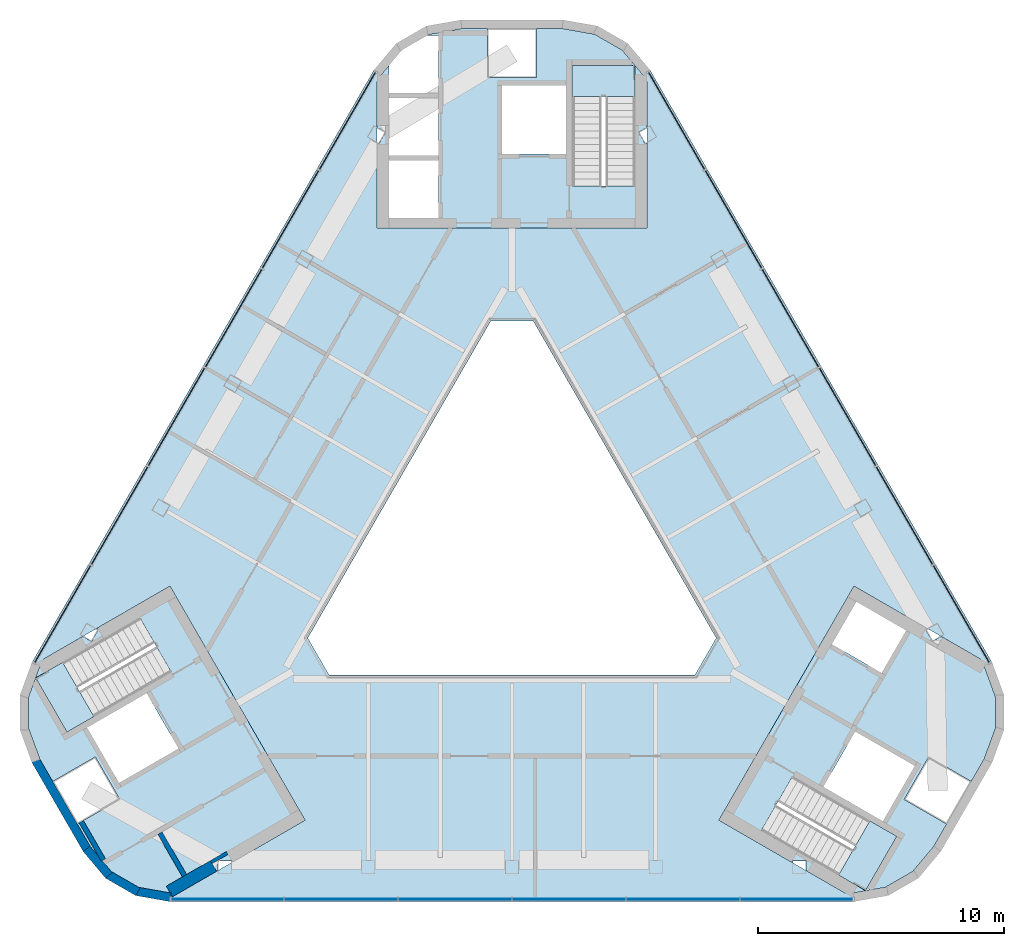
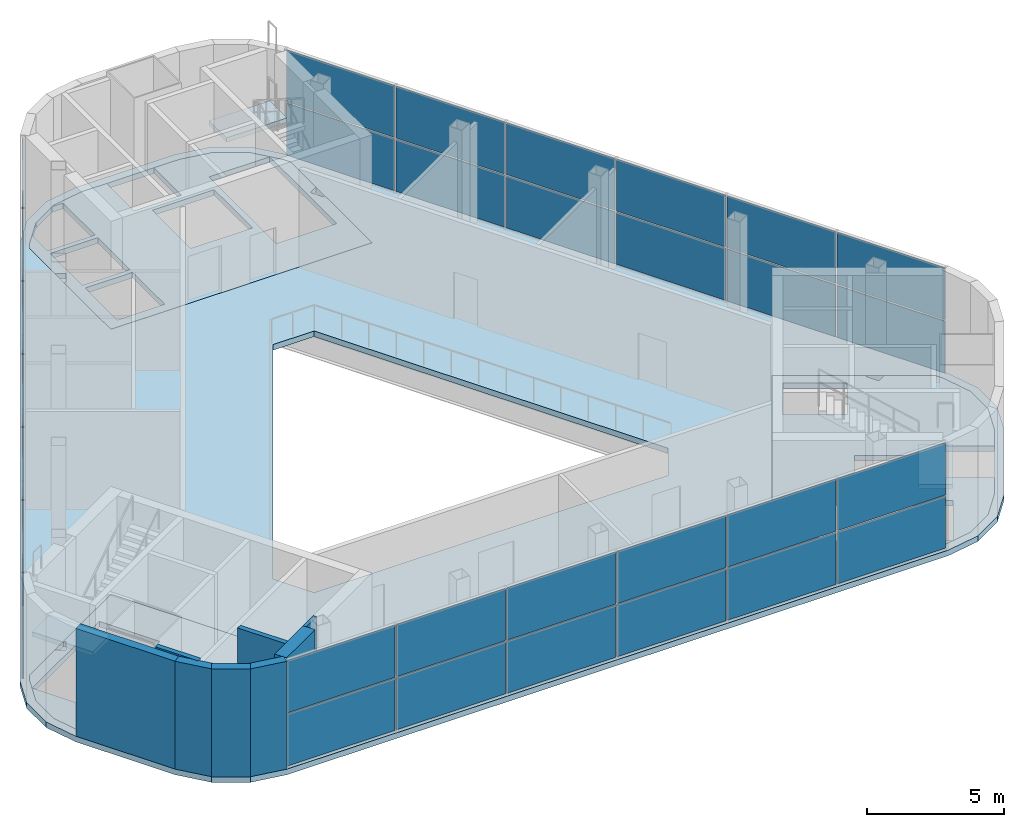
# One storey, part 5 of 11: 36 plates, 8 walls, 7 slabs, 6 elements without a shape of their own.
"""IFC4 building model written with IfcOpenShell, lengths in metres."""

from ifc_helpers import new_model, si_unit, direction, frame, frame_2d, origin, origin_2d, place, context, subcontext, project, spatial, polyline, rectangle, outline, extrude, material, layer, layer_set, type_object, element, aggregate, save


model = new_model("IFC4")

# Units and contexts
model_context = context("Model", 3, precision=1e-05, world=origin(), true_north=direction((0.0, 1.0)))
body_context = subcontext(model_context, "Body", "Model", "MODEL_VIEW")
ifc_project = project(units=[si_unit("LENGTHUNIT", "METRE"), si_unit("AREAUNIT", "SQUARE_METRE"), si_unit("VOLUMEUNIT", "CUBIC_METRE"), si_unit("PLANEANGLEUNIT", "RADIAN"), si_unit("MASSUNIT", "GRAM", prefix="KILO")], contexts=[model_context])

# Site, building, storey
site_placement = place(None, origin())
site = spatial("IfcSite", under=ifc_project, at=site_placement, CompositionType="ELEMENT")
building_placement = place(site_placement, origin())
building = spatial("IfcBuilding", under=site, at=building_placement, Name="Apuvela Tower Hotel", CompositionType="ELEMENT")
storey_placement = place(building_placement, frame((0.0, 0.0, 338.300048828125)))
storey = spatial("IfcBuildingStorey", under=building, at=storey_placement, Name="L84", CompositionType="ELEMENT", Elevation=338.300048828125)

# Slabs
ifc_material_1 = material(Name="Concrete C50/60", Category="concrete")
ifc_layer_1 = layer(ifc_material_1, 0.25)
ifc_layer_set_1 = layer_set([ifc_layer_1], Name="COR-FLOOR-250")
slab_type_1 = type_object("IfcSlabType", Name="COR-FLOOR-250", PredefinedType="FLOOR", material=ifc_layer_set_1)
slab_1_placement = place(storey_placement, frame((0.0, 0.0, -0.25)))
element("IfcSlab", 1, at=slab_1_placement, inside=storey, type_object=slab_type_1, Name="Core floor N", PredefinedType="FLOOR", context=body_context, shape_type="SweptSolid", body=[
    extrude(outline(polyline([(5.4208984375, 16.31298828125), (5.14599609375, 16.789306640625), (5.5, 16.993896484375), (5.5, 18.826171875), (5.330322265625, 19.119873046875), (4.481201171875, 20.1318359375), (3.364013671875, 20.777099609375), (2.06298828125, 21.00634765625), (1.0, 21.00634765625), (1.0, 19.00634765625), (-1.0, 19.00634765625), (-1.0, 21.00634765625), (-2.06298828125, 21.00634765625), (-3.364013671875, 20.777099609375), (-3.462646484375, 20.719970703125), (-3.0, 20.719970703125), (-3.0, 18.3798828125), (-5.0, 18.3798828125), (-5.0, 19.513671875), (-5.330322265625, 19.119873046875), (-5.5, 18.826171875), (-5.5, 16.993896484375), (-5.14599609375, 16.789306640625), (-5.4208984375, 16.31298828125), (-5.5, 16.358642578125), (-5.5, 12.89990234375), (5.5, 12.89990234375), (5.5, 16.358642578125), (5.4208984375, 16.31298828125)]), holes=[polyline([(-3.0, 13.300048828125), (-5.0, 13.300048828125), (-5.0, 15.639892578125), (-3.0, 15.639892578125), (-3.0, 13.300048828125)]), polyline([(-3.0, 15.840087890625), (-5.0, 15.840087890625), (-5.0, 18.179931640625), (-3.0, 18.179931640625), (-3.0, 15.840087890625)]), polyline([(5.0, 14.60595703125), (2.449951171875, 14.60595703125), (2.449951171875, 19.5), (5.0, 19.5), (5.0, 14.60595703125)]), polyline([(2.199951171875, 18.699951171875), (2.199951171875, 15.89990234375), (-0.39990234375, 15.89990234375), (-0.39990234375, 18.699951171875), (2.199951171875, 18.699951171875)])]), origin(), (0.0, 0.0, 1.0), 0.25),
])
slab_2_placement = place(storey_placement, frame((0.0, 0.0, -0.25)))
element("IfcSlab", 2, at=slab_2_placement, inside=storey, type_object=slab_type_1, Name="Core floor SW", PredefinedType="FLOOR", context=body_context, shape_type="SweptSolid", body=[
    extrude(outline(polyline([(-16.837890625, -3.4619140625), (-17.11279296875, -3.938232421875), (-17.467041015625, -3.733642578125), (-19.053955078125, -4.64990234375), (-19.223388671875, -4.943603515625), (-19.67529296875, -6.185302734375), (-19.67529296875, -7.47509765625), (-19.223388671875, -8.716796875), (-18.692138671875, -9.63720703125), (-16.9599609375, -8.63720703125), (-15.9599609375, -10.369140625), (-17.692138671875, -11.369140625), (-17.16064453125, -12.289794921875), (-16.311279296875, -13.3017578125), (-15.194091796875, -13.94677734375), (-13.89306640625, -14.17626953125), (-13.553955078125, -14.17626953125), (-11.967041015625, -13.260009765625), (-11.967041015625, -12.851318359375), (-11.4169921875, -12.851318359375), (-11.4169921875, -12.9423828125), (-8.421630859375, -11.213134765625), (-13.921630859375, -1.68701171875), (-16.9169921875, -3.416259765625), (-16.837890625, -3.4619140625)]), holes=[polyline([(-13.874267578125, -5.18115234375), (-18.112548828125, -7.628173828125), (-19.387451171875, -5.419921875), (-15.149169921875, -2.972900390625), (-13.874267578125, -5.18115234375)]), polyline([(-13.56982421875, -8.29638671875), (-15.99462890625, -9.6962890625), (-17.294677734375, -7.444580078125), (-14.869873046875, -6.044677734375), (-13.56982421875, -8.29638671875)])]), origin(), (0.0, 0.0, 1.0), 0.25),
])
slab_3_placement = place(storey_placement, frame((0.0, 0.0, -0.25)))
element("IfcSlab", 3, at=slab_3_placement, inside=storey, type_object=slab_type_1, Name="Core floor SE", PredefinedType="FLOOR", context=body_context, shape_type="SweptSolid", body=[
    extrude(outline(polyline([(11.4169921875, -12.851318359375), (11.967041015625, -12.851318359375), (11.967041015625, -13.260009765625), (13.553955078125, -14.17626953125), (13.89306640625, -14.17626953125), (15.194091796875, -13.94677734375), (16.311279296875, -13.3017578125), (17.16064453125, -12.289794921875), (17.692138671875, -11.369140625), (15.9599609375, -10.369140625), (16.9599609375, -8.63720703125), (18.692138671875, -9.63720703125), (19.223388671875, -8.716796875), (19.67529296875, -7.47509765625), (19.67529296875, -6.185302734375), (19.223388671875, -4.943603515625), (19.053955078125, -4.64990234375), (17.467041015625, -3.733642578125), (17.11279296875, -3.938232421875), (16.837890625, -3.4619140625), (16.9169921875, -3.416259765625), (13.921630859375, -1.68701171875), (8.421630859375, -11.213134765625), (11.4169921875, -12.9423828125), (11.4169921875, -12.851318359375)]), holes=[polyline([(14.01806640625, -2.31982421875), (16.044677734375, -3.489990234375), (15.044677734375, -5.221923828125), (13.01806640625, -4.052001953125), (14.01806640625, -2.31982421875)]), polyline([(10.149169921875, -11.633056640625), (11.42431640625, -9.4248046875), (15.66259765625, -11.871826171875), (14.387451171875, -14.080078125), (10.149169921875, -11.633056640625)]), polyline([(12.669921875, -9.855224609375), (13.9697265625, -7.603515625), (16.394775390625, -9.003662109375), (15.0947265625, -11.25537109375), (12.669921875, -9.855224609375)])]), origin(), (0.0, 0.0, 1.0), 0.25),
])

# Stair, slab
stair_type = type_object("IfcStairType", Name="COR-STAIR-28R", PredefinedType="HALF_TURN_STAIR", material=ifc_material_1)
stair_1_placement = place(storey_placement, origin())
stair_1 = element("IfcStair", 4, at=stair_1_placement, inside=storey, type_object=stair_type, Name="L84 Exit stair ST1", PredefinedType="HALF_TURN_STAIR")
ifc_layer_2 = layer(ifc_material_1, 0.199951171875)
ifc_layer_set_2 = layer_set([ifc_layer_2], Name="COR-LANDING-200")
slab_type_2 = type_object("IfcSlabType", Name="COR-LANDING-200", PredefinedType="LANDING", material=ifc_layer_set_2)
slab_4_placement = place(storey_placement, frame((0.0, 0.0, 2.300048828125)))
slab_4 = element("IfcSlab", 5, at=slab_4_placement, type_object=slab_type_2, Name="ST1 landing 1", PredefinedType="LANDING", context=body_context, shape_type="SweptSolid", body=[
    extrude(outline(polyline([(5.0, 18.23388671875), (5.0, 19.5), (2.449951171875, 19.5), (2.449951171875, 18.23388671875), (5.0, 18.23388671875)])), origin(), (0.0, 0.0, 1.0), 0.199951171875),
])
aggregate(stair_1, [slab_4])

stair_2_placement = place(storey_placement, origin())
stair_2 = element("IfcStair", 6, at=stair_2_placement, inside=storey, type_object=stair_type, Name="L84 Exit stair ST2", PredefinedType="HALF_TURN_STAIR")
slab_5_placement = place(storey_placement, frame((0.0, 0.0, 2.300048828125)))
slab_5 = element("IfcSlab", 7, at=slab_5_placement, type_object=slab_type_2, Name="ST2 landing 1", PredefinedType="LANDING", context=body_context, shape_type="SweptSolid", body=[
    extrude(outline(polyline([(-18.291015625, -4.786865234375), (-19.387451171875, -5.419921875), (-18.112548828125, -7.628173828125), (-17.01611328125, -6.9951171875), (-18.291015625, -4.786865234375)])), origin(), (0.0, 0.0, 1.0), 0.199951171875),
])
aggregate(stair_2, [slab_5])

stair_3_placement = place(storey_placement, origin())
stair_3 = element("IfcStair", 8, at=stair_3_placement, inside=storey, type_object=stair_type, Name="L84 Exit stair ST3", PredefinedType="HALF_TURN_STAIR")
slab_6_placement = place(storey_placement, frame((0.0, 0.0, 2.300048828125)))
slab_6 = element("IfcSlab", 9, at=slab_6_placement, type_object=slab_type_2, Name="ST3 landing 1", PredefinedType="LANDING", context=body_context, shape_type="SweptSolid", body=[
    extrude(outline(polyline([(13.291015625, -13.447021484375), (14.387451171875, -14.080078125), (15.66259765625, -11.871826171875), (14.566162109375, -11.23876953125), (13.291015625, -13.447021484375)])), origin(), (0.0, 0.0, 1.0), 0.199951171875),
])
aggregate(stair_3, [slab_6])

# Curtain wall, plates
ifc_material_2 = material(Name="Aluminium 6063-T6, dark bronze anodised", Category="aluminium")
ifc_layer_3 = layer(ifc_material_2, 0.199951171875)
ifc_layer_set_3 = layer_set([ifc_layer_3], Name="ENV-CW-L")
curtain_wall_type = type_object("IfcCurtainWallType", Name="ENV-CW-L", PredefinedType="NOTDEFINED", material=ifc_layer_set_3)
curtain_wall_1_placement = place(storey_placement, origin())
curtain_wall_1 = element("IfcCurtainWall", 10, at=curtain_wall_1_placement, inside=storey, type_object=curtain_wall_type, Name="Curtain wall CW-L S L84", PredefinedType="NOTDEFINED")
ifc_material_3 = material(Name="Glass, dark tinted laminated insulated glazing unit", Category="glass")
ifc_layer_4 = layer(ifc_material_3, 0.0400390625)
ifc_layer_set_4 = layer_set([ifc_layer_4], Name="ENV-PANEL-IGU-40")
plate_type = type_object("IfcPlateType", Name="ENV-PANEL-IGU-40", PredefinedType="CURTAIN_PANEL", material=ifc_layer_set_4)
plate_1_placement = place(storey_placement, frame((-11.5869140625, -14.42626953125, 0.06494140625), z_axis=(0.0, 0.0, 1.0), x_axis=(1.0, 0.0, 0.0)))
plate_1 = element("IfcPlate", 11, at=plate_1_placement, type_object=plate_type, Name="CW-L panel 1.1", PredefinedType="CURTAIN_PANEL", context=body_context, shape_type="SweptSolid", body=[
    extrude(rectangle(XDim=4.543701171875, YDim=0.0400390625, at=origin_2d()), origin(), (0.0, 0.0, 1.0), 2.302490234375),
])
plate_2_placement = place(storey_placement, frame((-11.5869140625, -14.42626953125, 2.4326171875), z_axis=(0.0, 0.0, 1.0), x_axis=(1.0, 0.0, 0.0)))
plate_2 = element("IfcPlate", 12, at=plate_2_placement, type_object=plate_type, Name="CW-L panel 1.2", PredefinedType="CURTAIN_PANEL", context=body_context, shape_type="SweptSolid", body=[
    extrude(rectangle(XDim=4.543701171875, YDim=0.0400390625, at=origin_2d()), origin(), (0.0, 0.0, 1.0), 2.302490234375),
])
plate_3_placement = place(storey_placement, frame((-6.9619140625, -14.42626953125, 0.06494140625), z_axis=(0.0, 0.0, 1.0), x_axis=(1.0, 0.0, 0.0)))
plate_3 = element("IfcPlate", 13, at=plate_3_placement, type_object=plate_type, Name="CW-L panel 2.1", PredefinedType="CURTAIN_PANEL", context=body_context, shape_type="SweptSolid", body=[
    extrude(rectangle(XDim=4.576171875, YDim=0.0400390625, at=origin_2d()), origin(), (0.0, 0.0, 1.0), 2.302490234375),
])
plate_4_placement = place(storey_placement, frame((-6.9619140625, -14.42626953125, 2.4326171875), z_axis=(0.0, 0.0, 1.0), x_axis=(1.0, 0.0, 0.0)))
plate_4 = element("IfcPlate", 14, at=plate_4_placement, type_object=plate_type, Name="CW-L panel 2.2", PredefinedType="CURTAIN_PANEL", context=body_context, shape_type="SweptSolid", body=[
    extrude(rectangle(XDim=4.576171875, YDim=0.0400390625, at=origin_2d()), origin(), (0.0, 0.0, 1.0), 2.302490234375),
])
plate_5_placement = place(storey_placement, frame((-2.320556640625, -14.42626953125, 0.06494140625), z_axis=(0.0, 0.0, 1.0), x_axis=(1.0, 0.0, 0.0)))
plate_5 = element("IfcPlate", 15, at=plate_5_placement, type_object=plate_type, Name="CW-L panel 3.1", PredefinedType="CURTAIN_PANEL", context=body_context, shape_type="SweptSolid", body=[
    extrude(rectangle(XDim=4.576171875, YDim=0.0400390625, at=origin_2d()), origin(), (0.0, 0.0, 1.0), 2.302490234375),
])
plate_6_placement = place(storey_placement, frame((-2.320556640625, -14.42626953125, 2.4326171875), z_axis=(0.0, 0.0, 1.0), x_axis=(1.0, 0.0, 0.0)))
plate_6 = element("IfcPlate", 16, at=plate_6_placement, type_object=plate_type, Name="CW-L panel 3.2", PredefinedType="CURTAIN_PANEL", context=body_context, shape_type="SweptSolid", body=[
    extrude(rectangle(XDim=4.576171875, YDim=0.0400390625, at=origin_2d()), origin(), (0.0, 0.0, 1.0), 2.302490234375),
])
plate_7_placement = place(storey_placement, frame((2.320556640625, -14.42626953125, 0.06494140625), z_axis=(0.0, 0.0, 1.0), x_axis=(1.0, 0.0, 0.0)))
plate_7 = element("IfcPlate", 17, at=plate_7_placement, type_object=plate_type, Name="CW-L panel 4.1", PredefinedType="CURTAIN_PANEL", context=body_context, shape_type="SweptSolid", body=[
    extrude(rectangle(XDim=4.576171875, YDim=0.0400390625, at=origin_2d()), origin(), (0.0, 0.0, 1.0), 2.302490234375),
])
plate_8_placement = place(storey_placement, frame((2.320556640625, -14.42626953125, 2.4326171875), z_axis=(0.0, 0.0, 1.0), x_axis=(1.0, 0.0, 0.0)))
plate_8 = element("IfcPlate", 18, at=plate_8_placement, type_object=plate_type, Name="CW-L panel 4.2", PredefinedType="CURTAIN_PANEL", context=body_context, shape_type="SweptSolid", body=[
    extrude(rectangle(XDim=4.576171875, YDim=0.0400390625, at=origin_2d()), origin(), (0.0, 0.0, 1.0), 2.302490234375),
])
plate_9_placement = place(storey_placement, frame((6.9619140625, -14.42626953125, 0.06494140625), z_axis=(0.0, 0.0, 1.0), x_axis=(1.0, 0.0, 0.0)))
plate_9 = element("IfcPlate", 19, at=plate_9_placement, type_object=plate_type, Name="CW-L panel 5.1", PredefinedType="CURTAIN_PANEL", context=body_context, shape_type="SweptSolid", body=[
    extrude(rectangle(XDim=4.576171875, YDim=0.0400390625, at=origin_2d()), origin(), (0.0, 0.0, 1.0), 2.302490234375),
])
plate_10_placement = place(storey_placement, frame((6.9619140625, -14.42626953125, 2.4326171875), z_axis=(0.0, 0.0, 1.0), x_axis=(1.0, 0.0, 0.0)))
plate_10 = element("IfcPlate", 20, at=plate_10_placement, type_object=plate_type, Name="CW-L panel 5.2", PredefinedType="CURTAIN_PANEL", context=body_context, shape_type="SweptSolid", body=[
    extrude(rectangle(XDim=4.576171875, YDim=0.0400390625, at=origin_2d()), origin(), (0.0, 0.0, 1.0), 2.302490234375),
])
plate_11_placement = place(storey_placement, frame((11.5869140625, -14.42626953125, 0.06494140625), z_axis=(0.0, 0.0, 1.0), x_axis=(1.0, 0.0, 0.0)))
plate_11 = element("IfcPlate", 21, at=plate_11_placement, type_object=plate_type, Name="CW-L panel 6.1", PredefinedType="CURTAIN_PANEL", context=body_context, shape_type="SweptSolid", body=[
    extrude(rectangle(XDim=4.543701171875, YDim=0.0400390625, at=origin_2d()), origin(), (0.0, 0.0, 1.0), 2.302490234375),
])
plate_12_placement = place(storey_placement, frame((11.5869140625, -14.42626953125, 2.4326171875), z_axis=(0.0, 0.0, 1.0), x_axis=(1.0, 0.0, 0.0)))
plate_12 = element("IfcPlate", 22, at=plate_12_placement, type_object=plate_type, Name="CW-L panel 6.2", PredefinedType="CURTAIN_PANEL", context=body_context, shape_type="SweptSolid", body=[
    extrude(rectangle(XDim=4.543701171875, YDim=0.0400390625, at=origin_2d()), origin(), (0.0, 0.0, 1.0), 2.302490234375),
])
aggregate(curtain_wall_1, [plate_1, plate_2, plate_3, plate_4, plate_5, plate_6, plate_7, plate_8, plate_9, plate_10, plate_11, plate_12])

curtain_wall_2_placement = place(storey_placement, origin())
curtain_wall_2 = element("IfcCurtainWall", 23, at=curtain_wall_2_placement, inside=storey, type_object=curtain_wall_type, Name="Curtain wall CW-L NE L84", PredefinedType="NOTDEFINED")
plate_13_placement = place(storey_placement, frame((18.286865234375, -2.8212890625, 0.06494140625), z_axis=(0.0, 0.0, 1.0), x_axis=(-0.499999313174, 0.866025800323, 0.0)))
plate_13 = element("IfcPlate", 24, at=plate_13_placement, type_object=plate_type, Name="CW-L panel 1.1", PredefinedType="CURTAIN_PANEL", context=body_context, shape_type="SweptSolid", body=[
    extrude(rectangle(XDim=4.543701171875, YDim=0.0400390625, at=origin_2d()), origin(), (0.0, 0.0, 1.0), 2.302490234375),
])
plate_14_placement = place(storey_placement, frame((18.286865234375, -2.8212890625, 2.4326171875), z_axis=(0.0, 0.0, 1.0), x_axis=(-0.499999313174, 0.866025800323, 0.0)))
plate_14 = element("IfcPlate", 25, at=plate_14_placement, type_object=plate_type, Name="CW-L panel 1.2", PredefinedType="CURTAIN_PANEL", context=body_context, shape_type="SweptSolid", body=[
    extrude(rectangle(XDim=4.543701171875, YDim=0.0400390625, at=origin_2d()), origin(), (0.0, 0.0, 1.0), 2.302490234375),
])
plate_15_placement = place(storey_placement, frame((15.974365234375, 1.183837890625, 0.06494140625), z_axis=(0.0, 0.0, 1.0), x_axis=(-0.499999313174, 0.866025800323, 0.0)))
plate_15 = element("IfcPlate", 26, at=plate_15_placement, type_object=plate_type, Name="CW-L panel 2.1", PredefinedType="CURTAIN_PANEL", context=body_context, shape_type="SweptSolid", body=[
    extrude(rectangle(XDim=4.576171875, YDim=0.0400390625, at=origin_2d()), origin(), (0.0, 0.0, 1.0), 2.302490234375),
])
plate_16_placement = place(storey_placement, frame((15.974365234375, 1.183837890625, 2.4326171875), z_axis=(0.0, 0.0, 1.0), x_axis=(-0.499999313174, 0.866025800323, 0.0)))
plate_16 = element("IfcPlate", 27, at=plate_16_placement, type_object=plate_type, Name="CW-L panel 2.2", PredefinedType="CURTAIN_PANEL", context=body_context, shape_type="SweptSolid", body=[
    extrude(rectangle(XDim=4.576171875, YDim=0.0400390625, at=origin_2d()), origin(), (0.0, 0.0, 1.0), 2.302490234375),
])
plate_17_placement = place(storey_placement, frame((13.65380859375, 5.203369140625, 0.06494140625), z_axis=(0.0, 0.0, 1.0), x_axis=(-0.499999313174, 0.866025800323, 0.0)))
plate_17 = element("IfcPlate", 28, at=plate_17_placement, type_object=plate_type, Name="CW-L panel 3.1", PredefinedType="CURTAIN_PANEL", context=body_context, shape_type="SweptSolid", body=[
    extrude(rectangle(XDim=4.576171875, YDim=0.0400390625, at=origin_2d()), origin(), (0.0, 0.0, 1.0), 2.302490234375),
])
plate_18_placement = place(storey_placement, frame((13.65380859375, 5.203369140625, 2.4326171875), z_axis=(0.0, 0.0, 1.0), x_axis=(-0.499999313174, 0.866025800323, 0.0)))
plate_18 = element("IfcPlate", 29, at=plate_18_placement, type_object=plate_type, Name="CW-L panel 3.2", PredefinedType="CURTAIN_PANEL", context=body_context, shape_type="SweptSolid", body=[
    extrude(rectangle(XDim=4.576171875, YDim=0.0400390625, at=origin_2d()), origin(), (0.0, 0.0, 1.0), 2.302490234375),
])
plate_19_placement = place(storey_placement, frame((11.333251953125, 9.222900390625, 0.06494140625), z_axis=(0.0, 0.0, 1.0), x_axis=(-0.499999313174, 0.866025800323, 0.0)))
plate_19 = element("IfcPlate", 30, at=plate_19_placement, type_object=plate_type, Name="CW-L panel 4.1", PredefinedType="CURTAIN_PANEL", context=body_context, shape_type="SweptSolid", body=[
    extrude(rectangle(XDim=4.576171875, YDim=0.0400390625, at=origin_2d()), origin(), (0.0, 0.0, 1.0), 2.302490234375),
])
plate_20_placement = place(storey_placement, frame((11.333251953125, 9.222900390625, 2.4326171875), z_axis=(0.0, 0.0, 1.0), x_axis=(-0.499999313174, 0.866025800323, 0.0)))
plate_20 = element("IfcPlate", 31, at=plate_20_placement, type_object=plate_type, Name="CW-L panel 4.2", PredefinedType="CURTAIN_PANEL", context=body_context, shape_type="SweptSolid", body=[
    extrude(rectangle(XDim=4.576171875, YDim=0.0400390625, at=origin_2d()), origin(), (0.0, 0.0, 1.0), 2.302490234375),
])
plate_21_placement = place(storey_placement, frame((9.012451171875, 13.2421875, 0.06494140625), z_axis=(0.0, 0.0, 1.0), x_axis=(-0.499999313174, 0.866025800323, 0.0)))
plate_21 = element("IfcPlate", 32, at=plate_21_placement, type_object=plate_type, Name="CW-L panel 5.1", PredefinedType="CURTAIN_PANEL", context=body_context, shape_type="SweptSolid", body=[
    extrude(rectangle(XDim=4.576171875, YDim=0.0400390625, at=origin_2d()), origin(), (0.0, 0.0, 1.0), 2.302490234375),
])
plate_22_placement = place(storey_placement, frame((9.012451171875, 13.2421875, 2.4326171875), z_axis=(0.0, 0.0, 1.0), x_axis=(-0.499999313174, 0.866025800323, 0.0)))
plate_22 = element("IfcPlate", 33, at=plate_22_placement, type_object=plate_type, Name="CW-L panel 5.2", PredefinedType="CURTAIN_PANEL", context=body_context, shape_type="SweptSolid", body=[
    extrude(rectangle(XDim=4.576171875, YDim=0.0400390625, at=origin_2d()), origin(), (0.0, 0.0, 1.0), 2.302490234375),
])
plate_23_placement = place(storey_placement, frame((6.699951171875, 17.24755859375, 0.06494140625), z_axis=(0.0, 0.0, 1.0), x_axis=(-0.499999313174, 0.866025800323, 0.0)))
plate_23 = element("IfcPlate", 34, at=plate_23_placement, type_object=plate_type, Name="CW-L panel 6.1", PredefinedType="CURTAIN_PANEL", context=body_context, shape_type="SweptSolid", body=[
    extrude(rectangle(XDim=4.543701171875, YDim=0.0400390625, at=origin_2d()), origin(), (0.0, 0.0, 1.0), 2.302490234375),
])
plate_24_placement = place(storey_placement, frame((6.699951171875, 17.24755859375, 2.4326171875), z_axis=(0.0, 0.0, 1.0), x_axis=(-0.499999313174, 0.866025800323, 0.0)))
plate_24 = element("IfcPlate", 35, at=plate_24_placement, type_object=plate_type, Name="CW-L panel 6.2", PredefinedType="CURTAIN_PANEL", context=body_context, shape_type="SweptSolid", body=[
    extrude(rectangle(XDim=4.543701171875, YDim=0.0400390625, at=origin_2d()), origin(), (0.0, 0.0, 1.0), 2.302490234375),
])
aggregate(curtain_wall_2, [plate_13, plate_14, plate_15, plate_16, plate_17, plate_18, plate_19, plate_20, plate_21, plate_22, plate_23, plate_24])

curtain_wall_3_placement = place(storey_placement, origin())
curtain_wall_3 = element("IfcCurtainWall", 36, at=curtain_wall_3_placement, inside=storey, type_object=curtain_wall_type, Name="Curtain wall CW-L NW L84", PredefinedType="NOTDEFINED")
plate_25_placement = place(storey_placement, frame((-6.699951171875, 17.24755859375, 0.06494140625), z_axis=(0.0, 0.0, 1.0), x_axis=(-0.499999313174, -0.866025800323, 0.0)))
plate_25 = element("IfcPlate", 37, at=plate_25_placement, type_object=plate_type, Name="CW-L panel 1.1", PredefinedType="CURTAIN_PANEL", context=body_context, shape_type="SweptSolid", body=[
    extrude(rectangle(XDim=4.543701171875, YDim=0.0400390625, at=origin_2d()), origin(), (0.0, 0.0, 1.0), 2.302490234375),
])
plate_26_placement = place(storey_placement, frame((-6.699951171875, 17.24755859375, 2.4326171875), z_axis=(0.0, 0.0, 1.0), x_axis=(-0.499999313174, -0.866025800323, 0.0)))
plate_26 = element("IfcPlate", 38, at=plate_26_placement, type_object=plate_type, Name="CW-L panel 1.2", PredefinedType="CURTAIN_PANEL", context=body_context, shape_type="SweptSolid", body=[
    extrude(rectangle(XDim=4.543701171875, YDim=0.0400390625, at=origin_2d()), origin(), (0.0, 0.0, 1.0), 2.302490234375),
])
plate_27_placement = place(storey_placement, frame((-9.012451171875, 13.2421875, 0.06494140625), z_axis=(0.0, 0.0, 1.0), x_axis=(-0.499999313174, -0.866025800323, 0.0)))
plate_27 = element("IfcPlate", 39, at=plate_27_placement, type_object=plate_type, Name="CW-L panel 2.1", PredefinedType="CURTAIN_PANEL", context=body_context, shape_type="SweptSolid", body=[
    extrude(rectangle(XDim=4.576171875, YDim=0.0400390625, at=origin_2d()), origin(), (0.0, 0.0, 1.0), 2.302490234375),
])
plate_28_placement = place(storey_placement, frame((-9.012451171875, 13.2421875, 2.4326171875), z_axis=(0.0, 0.0, 1.0), x_axis=(-0.499999313174, -0.866025800323, 0.0)))
plate_28 = element("IfcPlate", 40, at=plate_28_placement, type_object=plate_type, Name="CW-L panel 2.2", PredefinedType="CURTAIN_PANEL", context=body_context, shape_type="SweptSolid", body=[
    extrude(rectangle(XDim=4.576171875, YDim=0.0400390625, at=origin_2d()), origin(), (0.0, 0.0, 1.0), 2.302490234375),
])
plate_29_placement = place(storey_placement, frame((-11.333251953125, 9.222900390625, 0.06494140625), z_axis=(0.0, 0.0, 1.0), x_axis=(-0.499999313174, -0.866025800323, 0.0)))
plate_29 = element("IfcPlate", 41, at=plate_29_placement, type_object=plate_type, Name="CW-L panel 3.1", PredefinedType="CURTAIN_PANEL", context=body_context, shape_type="SweptSolid", body=[
    extrude(rectangle(XDim=4.576171875, YDim=0.0400390625, at=origin_2d()), origin(), (0.0, 0.0, 1.0), 2.302490234375),
])
plate_30_placement = place(storey_placement, frame((-11.333251953125, 9.222900390625, 2.4326171875), z_axis=(0.0, 0.0, 1.0), x_axis=(-0.499999313174, -0.866025800323, 0.0)))
plate_30 = element("IfcPlate", 42, at=plate_30_placement, type_object=plate_type, Name="CW-L panel 3.2", PredefinedType="CURTAIN_PANEL", context=body_context, shape_type="SweptSolid", body=[
    extrude(rectangle(XDim=4.576171875, YDim=0.0400390625, at=origin_2d()), origin(), (0.0, 0.0, 1.0), 2.302490234375),
])
plate_31_placement = place(storey_placement, frame((-13.65380859375, 5.203369140625, 0.06494140625), z_axis=(0.0, 0.0, 1.0), x_axis=(-0.499999313174, -0.866025800323, 0.0)))
plate_31 = element("IfcPlate", 43, at=plate_31_placement, type_object=plate_type, Name="CW-L panel 4.1", PredefinedType="CURTAIN_PANEL", context=body_context, shape_type="SweptSolid", body=[
    extrude(rectangle(XDim=4.576171875, YDim=0.0400390625, at=origin_2d()), origin(), (0.0, 0.0, 1.0), 2.302490234375),
])
plate_32_placement = place(storey_placement, frame((-13.65380859375, 5.203369140625, 2.4326171875), z_axis=(0.0, 0.0, 1.0), x_axis=(-0.499999313174, -0.866025800323, 0.0)))
plate_32 = element("IfcPlate", 44, at=plate_32_placement, type_object=plate_type, Name="CW-L panel 4.2", PredefinedType="CURTAIN_PANEL", context=body_context, shape_type="SweptSolid", body=[
    extrude(rectangle(XDim=4.576171875, YDim=0.0400390625, at=origin_2d()), origin(), (0.0, 0.0, 1.0), 2.302490234375),
])
plate_33_placement = place(storey_placement, frame((-15.974365234375, 1.183837890625, 0.06494140625), z_axis=(0.0, 0.0, 1.0), x_axis=(-0.499999313174, -0.866025800323, 0.0)))
plate_33 = element("IfcPlate", 45, at=plate_33_placement, type_object=plate_type, Name="CW-L panel 5.1", PredefinedType="CURTAIN_PANEL", context=body_context, shape_type="SweptSolid", body=[
    extrude(rectangle(XDim=4.576171875, YDim=0.0400390625, at=origin_2d()), origin(), (0.0, 0.0, 1.0), 2.302490234375),
])
plate_34_placement = place(storey_placement, frame((-15.974365234375, 1.183837890625, 2.4326171875), z_axis=(0.0, 0.0, 1.0), x_axis=(-0.499999313174, -0.866025800323, 0.0)))
plate_34 = element("IfcPlate", 46, at=plate_34_placement, type_object=plate_type, Name="CW-L panel 5.2", PredefinedType="CURTAIN_PANEL", context=body_context, shape_type="SweptSolid", body=[
    extrude(rectangle(XDim=4.576171875, YDim=0.0400390625, at=origin_2d()), origin(), (0.0, 0.0, 1.0), 2.302490234375),
])
plate_35_placement = place(storey_placement, frame((-18.286865234375, -2.8212890625, 0.06494140625), z_axis=(0.0, 0.0, 1.0), x_axis=(-0.499999313174, -0.866025800323, 0.0)))
plate_35 = element("IfcPlate", 47, at=plate_35_placement, type_object=plate_type, Name="CW-L panel 6.1", PredefinedType="CURTAIN_PANEL", context=body_context, shape_type="SweptSolid", body=[
    extrude(rectangle(XDim=4.543701171875, YDim=0.0400390625, at=origin_2d()), origin(), (0.0, 0.0, 1.0), 2.302490234375),
])
plate_36_placement = place(storey_placement, frame((-18.286865234375, -2.8212890625, 2.4326171875), z_axis=(0.0, 0.0, 1.0), x_axis=(-0.499999313174, -0.866025800323, 0.0)))
plate_36 = element("IfcPlate", 48, at=plate_36_placement, type_object=plate_type, Name="CW-L panel 6.2", PredefinedType="CURTAIN_PANEL", context=body_context, shape_type="SweptSolid", body=[
    extrude(rectangle(XDim=4.543701171875, YDim=0.0400390625, at=origin_2d()), origin(), (0.0, 0.0, 1.0), 2.302490234375),
])
aggregate(curtain_wall_3, [plate_25, plate_26, plate_27, plate_28, plate_29, plate_30, plate_31, plate_32, plate_33, plate_34, plate_35, plate_36])

# Slab
ifc_material_4 = material(Name="Concrete C35/45", Category="concrete")
ifc_layer_5 = layer(ifc_material_4, 0.25)
ifc_layer_set_5 = layer_set([ifc_layer_5], Name="STR-SLAB 250 floor Concrete C35/45")
slab_type_3 = type_object("IfcSlabType", Name="STR-SLAB 250 floor Concrete C35/45", PredefinedType="FLOOR", material=ifc_layer_set_5)
slab_7_placement = place(storey_placement, frame((0.0, 0.0, -0.25)))
element("IfcSlab", 49, at=slab_7_placement, inside=storey, type_object=slab_type_3, Name="Floor slab S5 L84", PredefinedType="FLOOR", context=body_context, shape_type="SweptSolid", body=[
    extrude(outline(polyline([(5.6181640625, 19.3212890625), (4.709716796875, 20.404296875), (3.485595703125, 21.11083984375), (2.093505859375, 21.3564453125), (-2.093505859375, 21.3564453125), (-3.485595703125, 21.11083984375), (-4.709716796875, 20.404296875), (-5.6181640625, 19.3212890625), (-19.5419921875, -4.795166015625), (-20.025390625, -6.12353515625), (-20.025390625, -7.536865234375), (-19.5419921875, -8.865234375), (-17.448486328125, -12.4912109375), (-16.539794921875, -13.573974609375), (-15.315673828125, -14.28076171875), (-13.923583984375, -14.526123046875), (13.923583984375, -14.526123046875), (15.315673828125, -14.28076171875), (16.539794921875, -13.573974609375), (17.448486328125, -12.4912109375), (19.5419921875, -8.865234375), (20.025390625, -7.536865234375), (20.025390625, -6.12353515625), (19.5419921875, -4.795166015625), (5.6181640625, 19.3212890625)]), holes=[polyline([(0.865966796875, 9.10009765625), (-0.865966796875, 9.10009765625), (-8.313720703125, -3.800048828125), (-7.44775390625, -5.300048828125), (7.44775390625, -5.300048828125), (8.313720703125, -3.800048828125), (0.865966796875, 9.10009765625)]), polyline([(-5.5, 12.89990234375), (-5.5, 18.826171875), (-5.330322265625, 19.119873046875), (-4.481201171875, 20.1318359375), (-3.364013671875, 20.777099609375), (-2.06298828125, 21.00634765625), (2.06298828125, 21.00634765625), (3.364013671875, 20.777099609375), (4.481201171875, 20.1318359375), (5.330322265625, 19.119873046875), (5.5, 18.826171875), (5.5, 12.89990234375), (-5.5, 12.89990234375)]), polyline([(-8.421630859375, -11.213134765625), (-13.553955078125, -14.17626953125), (-13.89306640625, -14.17626953125), (-15.194091796875, -13.94677734375), (-16.311279296875, -13.3017578125), (-17.16064453125, -12.289794921875), (-19.223388671875, -8.716796875), (-19.67529296875, -7.47509765625), (-19.67529296875, -6.185302734375), (-19.223388671875, -4.943603515625), (-19.053955078125, -4.64990234375), (-13.921630859375, -1.68701171875), (-8.421630859375, -11.213134765625)]), polyline([(13.921630859375, -1.68701171875), (19.053955078125, -4.64990234375), (19.223388671875, -4.943603515625), (19.67529296875, -6.185302734375), (19.67529296875, -7.47509765625), (19.223388671875, -8.716796875), (17.16064453125, -12.289794921875), (16.311279296875, -13.3017578125), (15.194091796875, -13.94677734375), (13.89306640625, -14.17626953125), (13.553955078125, -14.17626953125), (8.421630859375, -11.213134765625), (13.921630859375, -1.68701171875)])]), origin(), (0.0, 0.0, 1.0), 0.25),
])

# Walls
ifc_layer_6 = layer(ifc_material_1, 0.139892578125)
ifc_layer_set_6 = layer_set([ifc_layer_6], Name="COR-WALL-CORE-140")
wall_type_1 = type_object("IfcWallType", Name="COR-WALL-CORE-140", PredefinedType="SHEAR", material=ifc_layer_set_6)
wall_1_placement = place(storey_placement, frame((-11.592529296875, -12.54736328125, 0.0), z_axis=(0.0, 0.0, 1.0), x_axis=(-0.866115239748, -0.499844367254, 0.0)))
element("IfcWall", 50, at=wall_1_placement, inside=storey, type_object=wall_type_1, Name="Core wall SW", PredefinedType="SHEAR", context=body_context, shape_type="SweptSolid", body=[
    extrude(rectangle(XDim=0.751220703125, YDim=0.139892578125, at=frame_2d((0.37548828125, 0.0))), origin(), (0.0, 0.0, 1.0), 4.800048828125),
])
ifc_layer_7 = layer(ifc_material_1, 0.5)
ifc_layer_set_7 = layer_set([ifc_layer_7], Name="COR-WALL-CORE-500")
wall_type_2 = type_object("IfcWallType", Name="COR-WALL-CORE-500", PredefinedType="SHEAR", material=ifc_layer_set_7)
wall_2_placement = place(storey_placement, frame((-12.153076171875, -13.078857421875, 0.0), z_axis=(0.0, 0.0, 1.0), x_axis=(-0.866044274939, -0.499967312778, 0.0)))
element("IfcWall", 51, at=wall_2_placement, inside=storey, type_object=wall_type_2, Name="Core wall SW", PredefinedType="SHEAR", context=body_context, shape_type="SweptSolid", body=[
    extrude(rectangle(XDim=2.071533203125, YDim=0.5, at=frame_2d((1.03564453125, 0.0))), origin(), (0.0, 0.0, 1.0), 4.800048828125),
])
ifc_layer_8 = layer(ifc_material_1, 0.199951171875)
ifc_layer_set_8 = layer_set([ifc_layer_8], Name="COR-WALL-SHAFT-200")
wall_type_3 = type_object("IfcWallType", Name="COR-WALL-SHAFT-200", PredefinedType="SHEAR", material=ifc_layer_set_8)
wall_3_placement = place(storey_placement, frame((-17.530517578125, -11.27587890625, 0.0), z_axis=(0.0, 0.0, 1.0), x_axis=(0.499902469156, -0.866081705922, 0.0)))
element("IfcWall", 52, at=wall_3_placement, inside=storey, type_object=wall_type_3, Name="Shaft wall SW", PredefinedType="SHEAR", context=body_context, shape_type="SweptSolid", body=[
    extrude(rectangle(XDim=1.800048828125, YDim=0.199951171875, at=frame_2d((0.89990234375, 0.0))), origin(), (0.0, 0.0, 1.0), 4.800048828125),
])
wall_4_placement = place(storey_placement, frame((-14.330810546875, -11.738037109375, 0.0), z_axis=(0.0, 0.0, 1.0), x_axis=(0.499972520799, -0.866041268327, 0.0)))
element("IfcWall", 53, at=wall_4_placement, inside=storey, type_object=wall_type_3, Name="Shaft wall SW", PredefinedType="SHEAR", context=body_context, shape_type="SweptSolid", body=[
    extrude(rectangle(XDim=2.0, YDim=0.199951171875, at=frame_2d((1.0, 0.0))), origin(), (0.0, 0.0, 1.0), 4.800048828125),
])
ifc_material_5 = material(Name="Concrete C40/50, dark pigmented precast panel", Category="concrete")
ifc_layer_9 = layer(ifc_material_5, 0.35009765625)
ifc_layer_set_9 = layer_set([ifc_layer_9], Name="ENV-WALL-350")
wall_type_4 = type_object("IfcWallType", Name="ENV-WALL-350", PredefinedType="SOLIDWALL", material=ifc_layer_set_9)
wall_5_placement = place(storey_placement, frame((-19.390380859375, -8.777587890625, 0.0), z_axis=(0.0, 0.0, 1.0), x_axis=(0.499983227221, -0.866035087336, 0.0)))
element("IfcWall", 54, at=wall_5_placement, inside=storey, type_object=wall_type_4, Name="External wall L84-11", PredefinedType="SOLIDWALL", context=body_context, shape_type="SweptSolid", body=[
    extrude(rectangle(XDim=4.187255859375, YDim=0.35009765625, at=frame_2d((2.09375, 0.0))), origin(), (0.0, 0.0, 1.0), 4.800048828125),
])
for number, where, z_axis, x_axis, name in (
    (55, (-17.314453125, -12.378662109375, 0.0), (0.0, 0.0, 1.0), (0.642847724217, -0.765993997019, 0.0), "External wall L84-12"),
    (56, (-16.452392578125, -13.42236328125, 0.0), (0.0, 0.0, 1.0), (0.866013007135, -0.500021471012, 0.0), "External wall L84-13"),
    (57, (-15.285400390625, -14.1083984375, 0.0), (0.0, 0.0, 1.0), (0.984790512781, -0.173745923511, 0.0), "External wall L84-14"),
):
    element("IfcWall", number, at=place(storey_placement, frame(where, z_axis=z_axis, x_axis=x_axis)), inside=storey, type_object=wall_type_4, Name=name, PredefinedType="SOLIDWALL", context=body_context, shape_type="SweptSolid", body=[
        extrude(rectangle(XDim=1.41357421875, YDim=0.35009765625, at=frame_2d((0.706787109375, 0.0))), origin(), (0.0, 0.0, 1.0), 4.800048828125),
    ])

save(model, "model.ifc")
